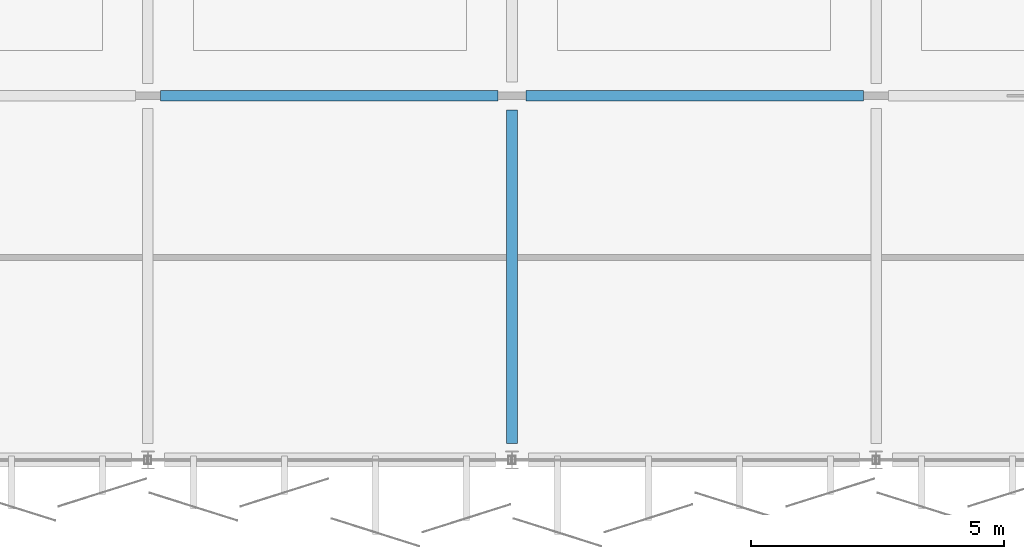
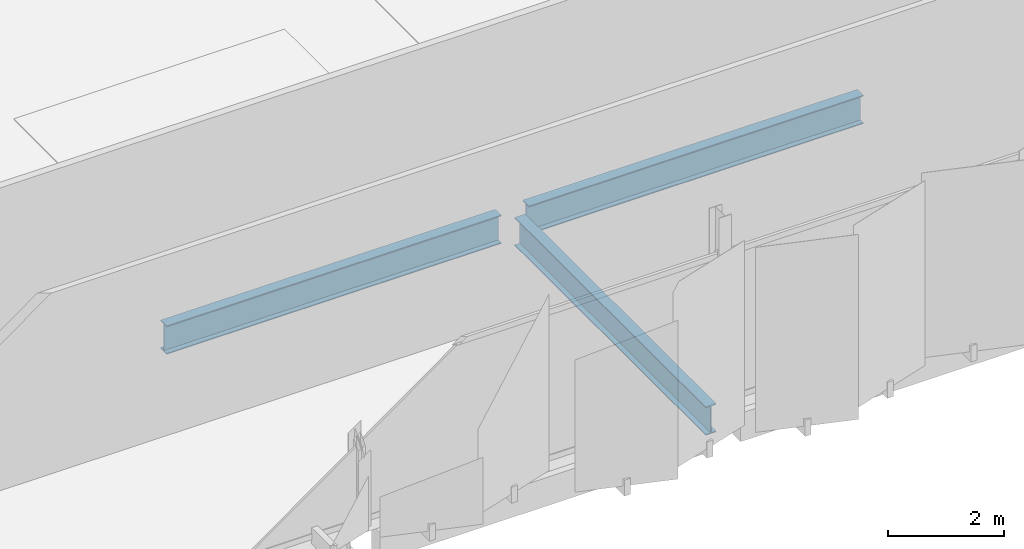
# One storey, part 29 of 91: 3 beams.
"""IFC4 building model written with IfcOpenShell, lengths in metres."""

from ifc_helpers import new_model, si_unit, direction, frame, origin, origin_2d, place, context, subcontext, project, spatial, i_section, extrude, material, material_profile, profile_set, type_object, element, save


model = new_model("IFC4")

# Units and contexts
model_context = context("Model", 3, precision=1e-05, world=origin(), true_north=direction((0.0, 1.0)))
body_context = subcontext(model_context, "Body", "Model", "MODEL_VIEW")
ifc_project = project(units=[si_unit("LENGTHUNIT", "METRE"), si_unit("AREAUNIT", "SQUARE_METRE"), si_unit("VOLUMEUNIT", "CUBIC_METRE"), si_unit("PLANEANGLEUNIT", "RADIAN"), si_unit("MASSUNIT", "GRAM", prefix="KILO")], contexts=[model_context])

# Site, building, storey
site_placement = place(None, origin())
site = spatial("IfcSite", under=ifc_project, at=site_placement, CompositionType="ELEMENT")
building_placement = place(site_placement, origin())
building = spatial("IfcBuilding", under=site, at=building_placement, Name="Kangsadwip Square Police Headquarters", CompositionType="ELEMENT")
storey_placement = place(building_placement, frame((0.0, 0.0, 13.5)))
storey = spatial("IfcBuildingStorey", under=building, at=storey_placement, Name="L03", CompositionType="ELEMENT", Elevation=13.5)

# Beams
ifc_material = material(Name="Structural steel IS 2062 E350 (Grade 350, 350 MPa)", Category="steel")
ifc_material_profile = material_profile(ifc_material, i_section(OverallWidth=0.2099609375, OverallDepth=0.60009765625, WebThickness=0.011962890625, FlangeThickness=0.020751953125, at=origin_2d()), Name="ISMB 600")
ifc_profile_set = profile_set([ifc_material_profile], Name="Structural steel IS 2062 E350 (Grade 350, 350 MPa)")
beam_type = type_object("IfcBeamType", Name="SteelBeamIsmb600", PredefinedType="BEAM", material=ifc_profile_set)
beam_1_placement = place(storey_placement, frame((108.25, 100.800048828125, -0.5400390625), z_axis=(1.0, 0.0, 0.0), x_axis=(0.0, 1.0, 0.0)))
element("IfcBeam", 1, at=beam_1_placement, inside=storey, type_object=beam_type, Name="Beam BM-L03-X-15-14", PredefinedType="BEAM", context=body_context, shape_type="SweptSolid", body=[
    extrude(i_section(OverallWidth=0.2099609375, OverallDepth=0.60009765625, WebThickness=0.011962890625, FlangeThickness=0.020751953125, at=origin_2d()), origin(), (0.0, 0.0, 1.0), 6.675048828125),
])
beam_2_placement = place(storey_placement, frame((115.47509765625, 100.800048828125, -0.5400390625), z_axis=(1.0, 0.0, 0.0), x_axis=(0.0, 1.0, 0.0)))
element("IfcBeam", 2, at=beam_2_placement, inside=storey, type_object=beam_type, Name="Beam BM-L03-X-16-14", PredefinedType="BEAM", context=body_context, shape_type="SweptSolid", body=[
    extrude(i_section(OverallWidth=0.2099609375, OverallDepth=0.60009765625, WebThickness=0.011962890625, FlangeThickness=0.020751953125, at=origin_2d()), origin(), (0.0, 0.0, 1.0), 6.6748046875),
])
beam_3_placement = place(storey_placement, frame((115.199951171875, 93.925048828125, -0.5400390625), z_axis=(0.0, 1.0, 0.0), x_axis=(-1.0, 0.0, 0.0)))
element("IfcBeam", 3, at=beam_3_placement, inside=storey, type_object=beam_type, Name="Beam BM-L03-Y-16-13", PredefinedType="BEAM", context=body_context, shape_type="SweptSolid", body=[
    extrude(i_section(OverallWidth=0.2099609375, OverallDepth=0.60009765625, WebThickness=0.011962890625, FlangeThickness=0.020751953125, at=origin_2d()), origin(), (0.0, 0.0, 1.0), 6.599853515625),
])

save(model, "model.ifc")
